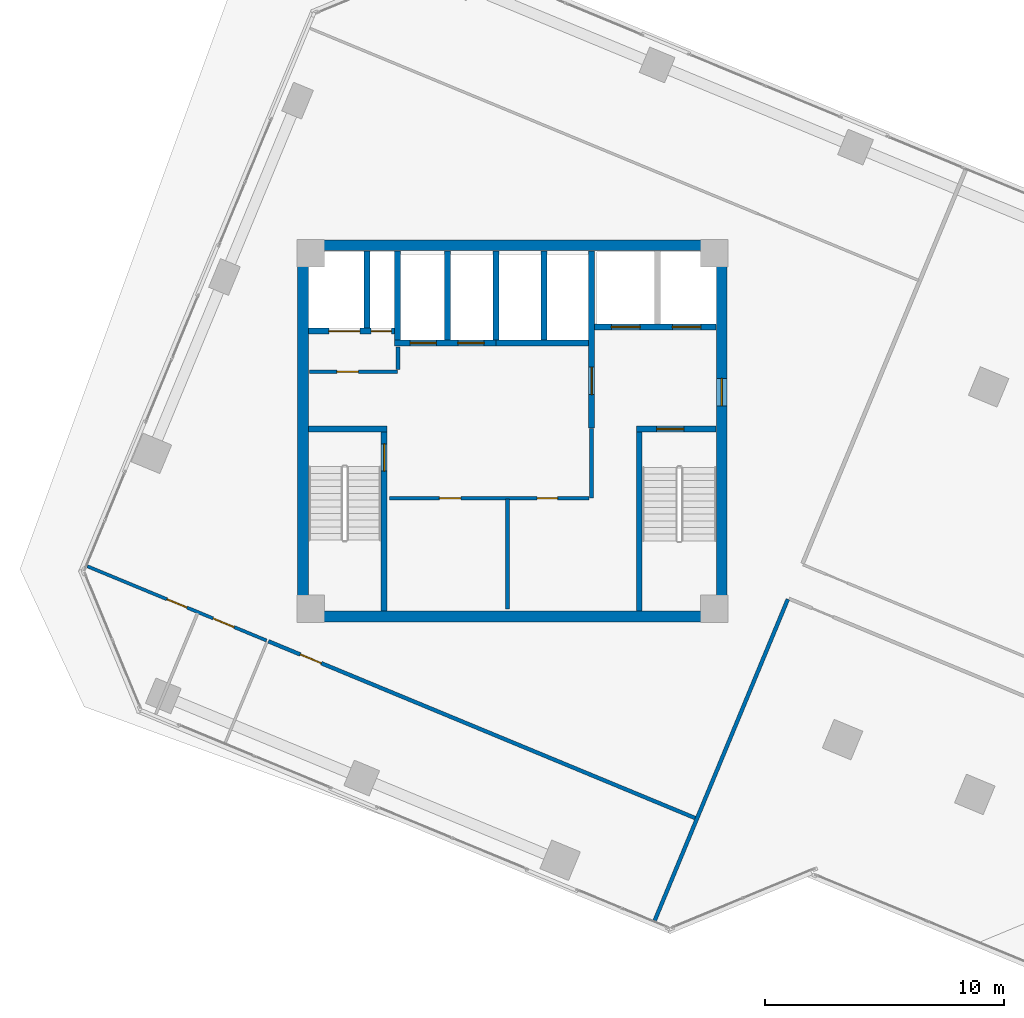
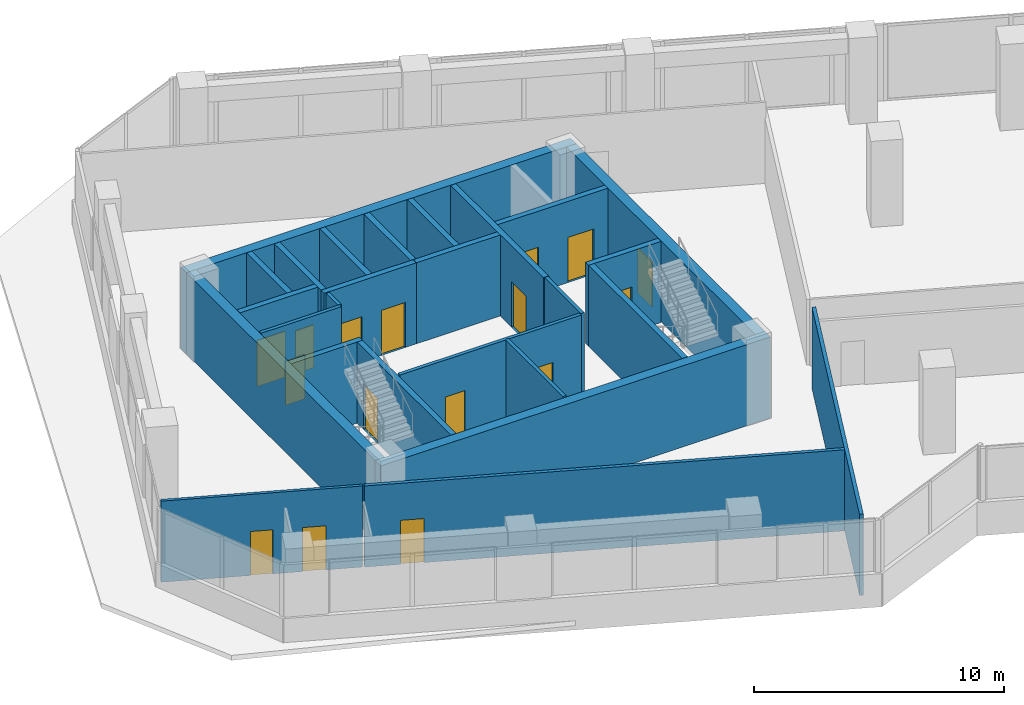
# One storey, part 19 of 24: 26 walls, 16 doors, 16 openings.
"""IFC4 building model written with IfcOpenShell, lengths in metres."""

from ifc_helpers import new_model, si_unit, direction, frame, frame_2d, origin, place, context, subcontext, project, spatial, rectangle, extrude, source, transform, mapped, material, layer, layer_set, type_object, element, fill, save


model = new_model("IFC4")

# Units and contexts
model_context = context("Model", 3, precision=1e-05, world=origin(), true_north=direction((0.0, 1.0)))
body_context = subcontext(model_context, "Body", "Model", "MODEL_VIEW")
ifc_project = project(units=[si_unit("LENGTHUNIT", "METRE"), si_unit("AREAUNIT", "SQUARE_METRE"), si_unit("VOLUMEUNIT", "CUBIC_METRE"), si_unit("PLANEANGLEUNIT", "RADIAN"), si_unit("MASSUNIT", "GRAM", prefix="KILO")], contexts=[model_context])

# Site, building, storey
site_placement = place(None, origin())
site = spatial("IfcSite", under=ifc_project, at=site_placement, CompositionType="ELEMENT")
building_placement = place(site_placement, origin())
building = spatial("IfcBuilding", under=site, at=building_placement, Name="Torre Montelarca", CompositionType="ELEMENT")
storey_placement = place(building_placement, frame((0.0, 0.0, 141.39990234375)))
storey = spatial("IfcBuildingStorey", under=building, at=storey_placement, Name="L31", CompositionType="ELEMENT", Elevation=141.39990234375)

# Wall, opening, door
ifc_material_1 = material(Name="Concrete C40/50", Category="concrete")
ifc_layer_1 = layer(ifc_material_1, 0.25, Name="Concrete C40/50", Category="concrete")
ifc_layer_set_1 = layer_set([ifc_layer_1], Name="Concrete C40/50")
wall_type_1 = type_object("IfcWallType", Name="CW-SHAFT-250", PredefinedType="SHEAR", material=ifc_layer_set_1)
wall_1_placement = place(storey_placement, frame((12.625, 24.4599609375, 0.0), z_axis=(0.0, 0.0, 1.0), x_axis=(0.0, 1.0, 0.0)))
wall_1 = element("IfcWall", 1, at=wall_1_placement, inside=storey, type_object=wall_type_1, Name="L31 Core Shear Wall SH-ST1-E", PredefinedType="SHEAR", context=body_context, shape_type="SweptSolid", body=[
    extrude(rectangle(XDim=7.489990234375, YDim=0.25, at=frame_2d((3.7451171875, 0.0))), origin(), (0.0, 0.0, 1.0), 3.960205078125),
])
opening_1_placement = place(wall_1_placement, frame((5.85009765625, 0.0, 0.0)))
opening_1 = element("IfcOpeningElement", 2, at=opening_1_placement, cuts=wall_1, Name="Opening FD-ST1", PredefinedType="OPENING", context=body_context, shape_type="SweptSolid", body=[
    extrude(rectangle(XDim=1.14990234375, YDim=2.199951171875, at=frame_2d((0.574951171875, 1.10009765625))), frame((0.0, 0.135009765625, 0.0), z_axis=(0.0, -1.0, 0.0), x_axis=(1.0, 0.0, 0.0)), (0.0, 0.0, 1.0), 0.27001953125),
])
ifc_material_2 = material(Name="Galvanized steel fire door", Category="steel")
door_type_1 = type_object("IfcDoorType", Name="DR-STAIR-115", OperationType="NOTDEFINED", PredefinedType="DOOR", material=ifc_material_2)
shared_shape_1 = source(origin(), body_context, "Body", "SweptSolid", [
    extrude(rectangle(XDim=1.14990234375, YDim=2.199951171875, at=frame_2d((0.574951171875, 1.10009765625))), frame((0.0, 0.02490234375, 0.0), z_axis=(0.0, -1.0, 0.0), x_axis=(1.0, 0.0, 0.0)), (0.0, 0.0, 1.0), 0.050048828125),
])
door_1_placement = place(opening_1_placement, origin())
door_1 = element("IfcDoor", 3, at=door_1_placement, inside=storey, type_object=door_type_1, Name="L31 Exit Stair ST1 Fire Door", OperationType="SINGLE_SWING_RIGHT", OverallHeight=2.199951171875, OverallWidth=1.14990234375, PredefinedType="DOOR", context=body_context, shape_type="MappedRepresentation", body=[
    mapped(shared_shape_1, transform((0.0, 0.0, 0.0), scale=1.0)),
])
fill(opening_1, door_1)

# Walls
wall_2_placement = place(storey_placement, frame((9.4599609375, 32.074951171875, 0.0), z_axis=(0.0, 0.0, 1.0), x_axis=(1.0, 0.0, 0.0)))
element("IfcWall", 4, at=wall_2_placement, inside=storey, type_object=wall_type_1, Name="L31 Core Shear Wall SH-ST1-N", PredefinedType="SHEAR", context=body_context, shape_type="SweptSolid", body=[
    extrude(rectangle(XDim=3.2900390625, YDim=0.25, at=frame_2d((1.64501953125, 0.0))), origin(), (0.0, 0.0, 1.0), 3.960205078125),
])
wall_3_placement = place(storey_placement, frame((23.31494140625, 24.4599609375, 0.0), z_axis=(0.0, 0.0, 1.0), x_axis=(0.0, 1.0, 0.0)))
element("IfcWall", 5, at=wall_3_placement, inside=storey, type_object=wall_type_1, Name="L31 Core Shear Wall SH-ST2-W", PredefinedType="SHEAR", context=body_context, shape_type="SweptSolid", body=[
    extrude(rectangle(XDim=7.489990234375, YDim=0.25, at=frame_2d((3.7451171875, 0.0))), origin(), (0.0, 0.0, 1.0), 3.960205078125),
])

# Wall, opening, door
wall_4_placement = place(storey_placement, frame((23.18994140625, 32.074951171875, 0.0), z_axis=(0.0, 0.0, 1.0), x_axis=(1.0, 0.0, 0.0)))
wall_4 = element("IfcWall", 6, at=wall_4_placement, inside=storey, type_object=wall_type_1, Name="L31 Core Shear Wall SH-ST2-N", PredefinedType="SHEAR", context=body_context, shape_type="SweptSolid", body=[
    extrude(rectangle(XDim=3.35009765625, YDim=0.25, at=frame_2d((1.675048828125, 0.0))), origin(), (0.0, 0.0, 1.0), 3.960205078125),
])
opening_2_placement = place(wall_4_placement, frame((0.85009765625, 0.0, 0.0)))
opening_2 = element("IfcOpeningElement", 7, at=opening_2_placement, cuts=wall_4, Name="Opening FD-ST1", PredefinedType="OPENING", context=body_context, shape_type="SweptSolid", body=[
    extrude(rectangle(XDim=1.14990234375, YDim=2.199951171875, at=frame_2d((0.574951171875, 1.10009765625))), frame((0.0, 0.135009765625, 0.0), z_axis=(0.0, -1.0, 0.0), x_axis=(1.0, 0.0, 0.0)), (0.0, 0.0, 1.0), 0.27001953125),
])
door_2_placement = place(opening_2_placement, origin())
door_2 = element("IfcDoor", 8, at=door_2_placement, inside=storey, type_object=door_type_1, Name="L31 Exit Stair ST2 Fire Door", OperationType="SINGLE_SWING_RIGHT", OverallHeight=2.199951171875, OverallWidth=1.14990234375, PredefinedType="DOOR", context=body_context, shape_type="MappedRepresentation", body=[
    mapped(shared_shape_1, transform((0.0, 0.0, 0.0), scale=1.0)),
])
fill(opening_2, door_2)

wall_5_placement = place(storey_placement, frame((21.320068359375, 32.1201171875, 0.0), z_axis=(0.0, 0.0, 1.0), x_axis=(0.0, 1.0, 0.0)))
wall_5 = element("IfcWall", 9, at=wall_5_placement, inside=storey, type_object=wall_type_1, Name="L31 Core Shear Wall SH-FFL-W", PredefinedType="SHEAR", context=body_context, shape_type="SweptSolid", body=[
    extrude(rectangle(XDim=7.419921875, YDim=0.25, at=frame_2d((3.7099609375, 0.0))), origin(), (0.0, 0.0, 1.0), 3.960205078125),
])
opening_3_placement = place(wall_5_placement, frame((1.39990234375, 0.0, 0.0)))
opening_3 = element("IfcOpeningElement", 10, at=opening_3_placement, cuts=wall_5, Name="Opening FD-LB1", PredefinedType="OPENING", context=body_context, shape_type="SweptSolid", body=[
    extrude(rectangle(XDim=1.14990234375, YDim=2.199951171875, at=frame_2d((0.574951171875, 1.10009765625))), frame((0.0, 0.135009765625, 0.0), z_axis=(0.0, -1.0, 0.0), x_axis=(1.0, 0.0, 0.0)), (0.0, 0.0, 1.0), 0.27001953125),
])
ifc_material_3 = material(Name="Acoustic timber-veneered fire door", Category="wood")
door_type_2 = type_object("IfcDoorType", Name="DR-LOBBY-115", OperationType="NOTDEFINED", PredefinedType="DOOR", material=ifc_material_3)
shared_shape_2 = source(origin(), body_context, "Body", "SweptSolid", [
    extrude(rectangle(XDim=1.14990234375, YDim=2.199951171875, at=frame_2d((0.574951171875, 1.10009765625))), frame((0.0, 0.02490234375, 0.0), z_axis=(0.0, -1.0, 0.0), x_axis=(1.0, 0.0, 0.0)), (0.0, 0.0, 1.0), 0.050048828125),
])
door_3_placement = place(opening_3_placement, origin())
door_3 = element("IfcDoor", 11, at=door_3_placement, inside=storey, type_object=door_type_2, Name="L31 Lift Lobby to Firefighting Lobby Smoke Door", OperationType="SINGLE_SWING_LEFT", OverallHeight=2.199951171875, OverallWidth=1.14990234375, PredefinedType="DOOR", context=body_context, shape_type="MappedRepresentation", body=[
    mapped(shared_shape_2, transform((0.0, 0.0, 0.0), scale=1.0)),
])
fill(opening_3, door_3)

# Wall, openings, doors
wall_6_placement = place(storey_placement, frame((9.4599609375, 36.179931640625, 0.0), z_axis=(0.0, 0.0, 1.0), x_axis=(1.0, 0.0, 0.0)))
wall_6 = element("IfcWall", 12, at=wall_6_placement, inside=storey, type_object=wall_type_1, Name="L31 Core Shear Wall SH-SV1-S", PredefinedType="SHEAR", context=body_context, shape_type="SweptSolid", body=[
    extrude(rectangle(XDim=3.7900390625, YDim=0.25, at=frame_2d((1.89501953125, 0.0))), origin(), (0.0, 0.0, 1.0), 3.960205078125),
])
opening_4_placement = place(wall_6_placement, frame((2.6201171875, 0.0, 0.0)))
opening_4 = element("IfcOpeningElement", 13, at=opening_4_placement, cuts=wall_6, Name="Opening FD-085", PredefinedType="OPENING", context=body_context, shape_type="SweptSolid", body=[
    extrude(rectangle(XDim=0.85009765625, YDim=2.10009765625, at=frame_2d((0.425048828125, 1.050048828125))), frame((0.0, 0.135009765625, 0.0), z_axis=(0.0, -1.0, 0.0), x_axis=(1.0, 0.0, 0.0)), (0.0, 0.0, 1.0), 0.27001953125),
])
opening_5_placement = place(wall_6_placement, frame((0.85009765625, 0.0, 0.0)))
opening_5 = element("IfcOpeningElement", 14, at=opening_5_placement, cuts=wall_6, Name="Opening LD-130", PredefinedType="OPENING", context=body_context, shape_type="SweptSolid", body=[
    extrude(rectangle(XDim=1.300048828125, YDim=2.25, at=frame_2d((0.64990234375, 1.125))), frame((0.0, 0.135009765625, 0.0), z_axis=(0.0, -1.0, 0.0), x_axis=(1.0, 0.0, 0.0)), (0.0, 0.0, 1.0), 0.27001953125),
])
ifc_material_4 = material(Name="Steel riser access fire door", Category="steel")
door_type_3 = type_object("IfcDoorType", Name="DR-RISER-085", OperationType="NOTDEFINED", PredefinedType="DOOR", material=ifc_material_4)
shared_shape_3 = source(origin(), body_context, "Body", "SweptSolid", [
    extrude(rectangle(XDim=0.85009765625, YDim=2.10009765625, at=frame_2d((0.425048828125, 1.050048828125))), frame((0.0, 0.02490234375, 0.0), z_axis=(0.0, -1.0, 0.0), x_axis=(1.0, 0.0, 0.0)), (0.0, 0.0, 1.0), 0.050048828125),
])
door_4_placement = place(opening_4_placement, origin())
door_4 = element("IfcDoor", 15, at=door_4_placement, inside=storey, type_object=door_type_3, Name="L31 Electrical Riser Shaft Access Door", OperationType="SINGLE_SWING_RIGHT", OverallHeight=2.10009765625, OverallWidth=0.85009765625, PredefinedType="DOOR", context=body_context, shape_type="MappedRepresentation", body=[
    mapped(shared_shape_3, transform((0.0, 0.0, 0.0), scale=1.0)),
])
fill(opening_4, door_4)
ifc_material_5 = material(Name="Brushed stainless steel AISI 316", Category="steel")
door_type_4 = type_object("IfcDoorType", Name="DR-LIFT-130", OperationType="SLIDING_TO_LEFT", PredefinedType="DOOR", material=ifc_material_5)
shared_shape_4 = source(origin(), body_context, "Body", "SweptSolid", [
    extrude(rectangle(XDim=1.300048828125, YDim=2.25, at=frame_2d((0.64990234375, 1.125))), frame((0.0, 0.02490234375, 0.0), z_axis=(0.0, -1.0, 0.0), x_axis=(1.0, 0.0, 0.0)), (0.0, 0.0, 1.0), 0.050048828125),
])
door_5_placement = place(opening_5_placement, origin())
door_5 = element("IfcDoor", 16, at=door_5_placement, inside=storey, type_object=door_type_4, Name="L31 Lift Landing Sliding Door SV-1", OperationType="SLIDING_TO_LEFT", OverallHeight=2.25, OverallWidth=1.300048828125, PredefinedType="DOOR", context=body_context, shape_type="MappedRepresentation", body=[
    mapped(shared_shape_4, transform((0.0, 0.0, 0.0), scale=1.0)),
])
fill(opening_5, door_5)

# Wall
wall_7_placement = place(storey_placement, frame((11.89990234375, 36.31005859375, 0.0), z_axis=(0.0, 0.0, 1.0), x_axis=(0.0, 1.0, 0.0)))
element("IfcWall", 17, at=wall_7_placement, inside=storey, type_object=wall_type_1, Name="L31 Core Shear Wall SH-SV1-E", PredefinedType="SHEAR", context=body_context, shape_type="SweptSolid", body=[
    extrude(rectangle(XDim=3.22998046875, YDim=0.25, at=frame_2d((1.614990234375, 0.0))), origin(), (0.0, 0.0, 1.0), 3.960205078125),
])

# Wall, openings, doors
wall_8_placement = place(storey_placement, frame((21.449951171875, 36.35009765625, 0.0), z_axis=(0.0, 0.0, 1.0), x_axis=(1.0, 0.0, 0.0)))
wall_8 = element("IfcWall", 18, at=wall_8_placement, inside=storey, type_object=wall_type_1, Name="L31 Core Shear Wall SH-FF-S", PredefinedType="SHEAR", context=body_context, shape_type="SweptSolid", body=[
    extrude(rectangle(XDim=5.090087890625, YDim=0.25, at=frame_2d((2.544921875, 0.0))), origin(), (0.0, 0.0, 1.0), 3.960205078125),
])
opening_6_placement = place(wall_8_placement, frame((0.699951171875, 0.0, 0.0)))
opening_6 = element("IfcOpeningElement", 19, at=opening_6_placement, cuts=wall_8, Name="Opening LD-120", PredefinedType="OPENING", context=body_context, shape_type="SweptSolid", body=[
    extrude(rectangle(XDim=1.199951171875, YDim=2.199951171875, at=frame_2d((0.60009765625, 1.10009765625))), frame((0.0, 0.135009765625, 0.0), z_axis=(0.0, -1.0, 0.0), x_axis=(1.0, 0.0, 0.0)), (0.0, 0.0, 1.0), 0.27001953125),
])
opening_7_placement = place(wall_8_placement, frame((3.25, 0.0, 0.0)))
opening_7 = element("IfcOpeningElement", 20, at=opening_7_placement, cuts=wall_8, Name="Opening LD-120", PredefinedType="OPENING", context=body_context, shape_type="SweptSolid", body=[
    extrude(rectangle(XDim=1.199951171875, YDim=2.199951171875, at=frame_2d((0.60009765625, 1.10009765625))), frame((0.0, 0.135009765625, 0.0), z_axis=(0.0, -1.0, 0.0), x_axis=(1.0, 0.0, 0.0)), (0.0, 0.0, 1.0), 0.27001953125),
])
door_type_5 = type_object("IfcDoorType", Name="DR-LIFT-120", OperationType="SLIDING_TO_RIGHT", PredefinedType="DOOR", material=ifc_material_5)
shared_shape_5 = source(origin(), body_context, "Body", "SweptSolid", [
    extrude(rectangle(XDim=1.199951171875, YDim=2.199951171875, at=frame_2d((0.60009765625, 1.10009765625))), frame((0.0, 0.02490234375, 0.0), z_axis=(0.0, -1.0, 0.0), x_axis=(1.0, 0.0, 0.0)), (0.0, 0.0, 1.0), 0.050048828125),
])
door_6_placement = place(opening_6_placement, origin())
door_6 = element("IfcDoor", 21, at=door_6_placement, inside=storey, type_object=door_type_5, Name="L31 Lift Landing Sliding Door FF-1", OperationType="SLIDING_TO_LEFT", OverallHeight=2.199951171875, OverallWidth=1.199951171875, PredefinedType="DOOR", context=body_context, shape_type="MappedRepresentation", body=[
    mapped(shared_shape_5, transform((0.0, 0.0, 0.0), scale=1.0)),
])
fill(opening_6, door_6)
door_7_placement = place(opening_7_placement, origin())
door_7 = element("IfcDoor", 22, at=door_7_placement, inside=storey, type_object=door_type_5, Name="L31 Lift Landing Sliding Door FF-2", OperationType="SLIDING_TO_RIGHT", OverallHeight=2.199951171875, OverallWidth=1.199951171875, PredefinedType="DOOR", context=body_context, shape_type="MappedRepresentation", body=[
    mapped(shared_shape_5, transform((0.0, 0.0, 0.0), scale=1.0)),
])
fill(opening_7, door_7)

wall_9_placement = place(storey_placement, frame((13.06005859375, 35.679931640625, 0.0), z_axis=(0.0, 0.0, 1.0), x_axis=(1.0, 0.0, 0.0)))
wall_9 = element("IfcWall", 23, at=wall_9_placement, inside=storey, type_object=wall_type_1, Name="L31 Core Shear Wall SH-PLM-S", PredefinedType="SHEAR", context=body_context, shape_type="SweptSolid", body=[
    extrude(rectangle(XDim=4.25, YDim=0.25, at=frame_2d((2.125, 0.0))), origin(), (0.0, 0.0, 1.0), 3.960205078125),
])
opening_8_placement = place(wall_9_placement, frame((0.64990234375, 0.0, 0.0)))
opening_8 = element("IfcOpeningElement", 24, at=opening_8_placement, cuts=wall_9, Name="Opening LD-110", PredefinedType="OPENING", context=body_context, shape_type="SweptSolid", body=[
    extrude(rectangle(XDim=1.10009765625, YDim=2.199951171875, at=frame_2d((0.550048828125, 1.10009765625))), frame((0.0, 0.135009765625, 0.0), z_axis=(0.0, -1.0, 0.0), x_axis=(1.0, 0.0, 0.0)), (0.0, 0.0, 1.0), 0.27001953125),
])
opening_9_placement = place(wall_9_placement, frame((2.64990234375, 0.0, 0.0)))
opening_9 = element("IfcOpeningElement", 25, at=opening_9_placement, cuts=wall_9, Name="Opening LD-110", PredefinedType="OPENING", context=body_context, shape_type="SweptSolid", body=[
    extrude(rectangle(XDim=1.10009765625, YDim=2.199951171875, at=frame_2d((0.550048828125, 1.10009765625))), frame((0.0, 0.135009765625, 0.0), z_axis=(0.0, -1.0, 0.0), x_axis=(1.0, 0.0, 0.0)), (0.0, 0.0, 1.0), 0.27001953125),
])
door_type_6 = type_object("IfcDoorType", Name="DR-LIFT-110", OperationType="SLIDING_TO_LEFT", PredefinedType="DOOR", material=ifc_material_5)
shared_shape_6 = source(origin(), body_context, "Body", "SweptSolid", [
    extrude(rectangle(XDim=1.10009765625, YDim=2.199951171875, at=frame_2d((0.550048828125, 1.10009765625))), frame((0.0, 0.02490234375, 0.0), z_axis=(0.0, -1.0, 0.0), x_axis=(1.0, 0.0, 0.0)), (0.0, 0.0, 1.0), 0.050048828125),
])
door_8_placement = place(opening_8_placement, origin())
door_8 = element("IfcDoor", 26, at=door_8_placement, inside=storey, type_object=door_type_6, Name="L31 Lift Landing Sliding Door PL-M1", OperationType="SLIDING_TO_LEFT", OverallHeight=2.199951171875, OverallWidth=1.10009765625, PredefinedType="DOOR", context=body_context, shape_type="MappedRepresentation", body=[
    mapped(shared_shape_6, transform((0.0, 0.0, 0.0), scale=1.0)),
])
fill(opening_8, door_8)
door_9_placement = place(opening_9_placement, origin())
door_9 = element("IfcDoor", 27, at=door_9_placement, inside=storey, type_object=door_type_6, Name="L31 Lift Landing Sliding Door PL-M2", OperationType="SLIDING_TO_RIGHT", OverallHeight=2.199951171875, OverallWidth=1.10009765625, PredefinedType="DOOR", context=body_context, shape_type="MappedRepresentation", body=[
    mapped(shared_shape_6, transform((0.0, 0.0, 0.0), scale=1.0)),
])
fill(opening_9, door_9)

# Walls
for number, where, z_axis, x_axis, name in (
    (28, (13.179931640625, 35.81005859375, 0.0), (0.0, 0.0, 1.0), (0.0, 1.0, 0.0), "L31 Core Shear Wall SH-PLM-W"),
    (29, (15.280029296875, 35.81005859375, 0.0), (0.0, 0.0, 1.0), (0.0, 1.0, 0.0), "L31 Core Shear Wall SH-PLM-M"),
):
    element("IfcWall", number, at=place(storey_placement, frame(where, z_axis=z_axis, x_axis=x_axis)), inside=storey, type_object=wall_type_1, Name=name, PredefinedType="SHEAR", context=body_context, shape_type="SweptSolid", body=[
        extrude(rectangle(XDim=3.72998046875, YDim=0.25, at=frame_2d((1.864990234375, 0.0))), origin(), (0.0, 0.0, 1.0), 3.960205078125),
    ])
wall_10_placement = place(storey_placement, frame((17.320068359375, 35.679931640625, 0.0), z_axis=(0.0, 0.0, 1.0), x_axis=(1.0, 0.0, 0.0)))
element("IfcWall", 30, at=wall_10_placement, inside=storey, type_object=wall_type_1, Name="L31 Core Shear Wall SH-PLH-S", PredefinedType="SHEAR", context=body_context, shape_type="SweptSolid", body=[
    extrude(rectangle(XDim=3.869873046875, YDim=0.25, at=frame_2d((1.93505859375, 0.0))), origin(), (0.0, 0.0, 1.0), 3.960205078125),
])
for number, where, z_axis, x_axis, name in (
    (31, (17.320068359375, 35.81005859375, 0.0), (0.0, 0.0, 1.0), (0.0, 1.0, 0.0), "L31 Core Shear Wall SH-PLH-W"),
    (32, (19.320068359375, 35.81005859375, 0.0), (0.0, 0.0, 1.0), (0.0, 1.0, 0.0), "L31 Core Shear Wall SH-PLH-M"),
):
    element("IfcWall", number, at=place(storey_placement, frame(where, z_axis=z_axis, x_axis=x_axis)), inside=storey, type_object=wall_type_1, Name=name, PredefinedType="SHEAR", context=body_context, shape_type="SweptSolid", body=[
        extrude(rectangle(XDim=3.72998046875, YDim=0.25, at=frame_2d((1.864990234375, 0.0))), origin(), (0.0, 0.0, 1.0), 3.960205078125),
    ])
ifc_material_6 = material(Name="Concrete C55/67", Category="concrete")
ifc_layer_2 = layer(ifc_material_6, 0.449951171875, Name="Concrete C55/67", Category="concrete")
ifc_layer_set_2 = layer_set([ifc_layer_2], Name="Concrete C55/67")
wall_type_2 = type_object("IfcWallType", Name="CW-SHEAR-450", PredefinedType="SHEAR", material=ifc_layer_set_2)
wall_11_placement = place(storey_placement, frame((9.22509765625, 24.449951171875, 0.0), z_axis=(0.0, 0.0, 1.0), x_axis=(0.0, 1.0, 0.0)))
element("IfcWall", 33, at=wall_11_placement, inside=storey, type_object=wall_type_2, Name="L31 Core Shear Wall CW-W", PredefinedType="SHEAR", context=body_context, shape_type="SweptSolid", body=[
    extrude(rectangle(XDim=15.10009765625, YDim=0.449951171875, at=frame_2d((7.550048828125, 0.0))), origin(), (0.0, 0.0, 1.0), 3.960205078125),
])

# Wall, opening, door
wall_12_placement = place(storey_placement, frame((26.77490234375, 24.449951171875, 0.0), z_axis=(0.0, 0.0, 1.0), x_axis=(0.0, 1.0, 0.0)))
wall_12 = element("IfcWall", 34, at=wall_12_placement, inside=storey, type_object=wall_type_2, Name="L31 Core Shear Wall CW-E", PredefinedType="SHEAR", context=body_context, shape_type="SweptSolid", body=[
    extrude(rectangle(XDim=15.10009765625, YDim=0.449951171875, at=frame_2d((7.550048828125, 0.0))), origin(), (0.0, 0.0, 1.0), 3.960205078125),
])
opening_10_placement = place(wall_12_placement, frame((8.60009765625, 0.0, 0.0)))
opening_10 = element("IfcOpeningElement", 35, at=opening_10_placement, cuts=wall_12, Name="Opening FD-LB1", PredefinedType="OPENING", context=body_context, shape_type="SweptSolid", body=[
    extrude(rectangle(XDim=1.14990234375, YDim=2.199951171875, at=frame_2d((0.574951171875, 1.10009765625))), frame((0.0, 0.23486328125, 0.0), z_axis=(0.0, -1.0, 0.0), x_axis=(1.0, 0.0, 0.0)), (0.0, 0.0, 1.0), 0.469970703125),
])
door_10_placement = place(opening_10_placement, origin())
door_10 = element("IfcDoor", 36, at=door_10_placement, inside=storey, type_object=door_type_2, Name="L31 Firefighting Lift Lobby Corridor Fire Door", OperationType="SINGLE_SWING_RIGHT", OverallHeight=2.199951171875, OverallWidth=1.14990234375, PredefinedType="DOOR", context=body_context, shape_type="MappedRepresentation", body=[
    mapped(shared_shape_2, transform((0.0, 0.0, 0.0), scale=1.0)),
])
fill(opening_10, door_10)

# Walls
for number, where, z_axis, x_axis, name in (
    (37, (9.0, 24.22509765625, 0.0), (0.0, 0.0, 1.0), (1.0, 0.0, 0.0), "L31 Core Shear Wall CW-S1"),
    (38, (9.0, 39.77490234375, 0.0), (0.0, 0.0, 1.0), (1.0, 0.0, 0.0), "L31 Core Shear Wall CW-N1"),
):
    element("IfcWall", number, at=place(storey_placement, frame(where, z_axis=z_axis, x_axis=x_axis)), inside=storey, type_object=wall_type_2, Name=name, PredefinedType="SHEAR", context=body_context, shape_type="SweptSolid", body=[
        extrude(rectangle(XDim=18.0, YDim=0.449951171875, at=frame_2d((9.0, 0.0))), origin(), (0.0, 0.0, 1.0), 3.960205078125),
    ])

# Wall, opening, door
ifc_material_7 = material(Name="Gypsum plasterboard on steel stud", Category="steel")
ifc_layer_3 = layer(ifc_material_7, 0.159912109375, Name="Gypsum plasterboard on steel stud", Category="steel")
ifc_layer_set_3 = layer_set([ifc_layer_3], Name="Gypsum plasterboard on steel stud")
wall_type_3 = type_object("IfcWallType", Name="PW-FIRE-160", PredefinedType="PARTITIONING", material=ifc_layer_set_3)
wall_13_placement = place(storey_placement, frame((9.489990234375, 34.47998046875, 0.0), z_axis=(0.0, 0.0, 1.0), x_axis=(1.0, 0.0, 0.0)))
wall_13 = element("IfcWall", 39, at=wall_13_placement, inside=storey, type_object=wall_type_3, Name="L31 Interior Partition CW-L31-SVS", PredefinedType="PARTITIONING", context=body_context, shape_type="SweptSolid", body=[
    extrude(rectangle(XDim=3.699951171875, YDim=0.159912109375, at=frame_2d((1.85009765625, 0.0))), origin(), (0.0, 0.0, 1.0), 3.960205078125),
])
opening_11_placement = place(wall_13_placement, frame((1.14990234375, 0.0, 0.0)))
opening_11 = element("IfcOpeningElement", 40, at=opening_11_placement, cuts=wall_13, Name="Opening FD-090", PredefinedType="OPENING", context=body_context, shape_type="SweptSolid", body=[
    extrude(rectangle(XDim=0.89990234375, YDim=2.14990234375, at=frame_2d((0.449951171875, 1.074951171875))), frame((0.0, 0.08984375, 0.0), z_axis=(0.0, -1.0, 0.0), x_axis=(1.0, 0.0, 0.0)), (0.0, 0.0, 1.0), 0.179931640625),
])
ifc_material_8 = material(Name="Steel service fire door", Category="steel")
door_type_7 = type_object("IfcDoorType", Name="DR-FIRE-090", OperationType="NOTDEFINED", PredefinedType="DOOR", material=ifc_material_8)
shared_shape_7 = source(origin(), body_context, "Body", "SweptSolid", [
    extrude(rectangle(XDim=0.89990234375, YDim=2.14990234375, at=frame_2d((0.449951171875, 1.074951171875))), frame((0.0, 0.02490234375, 0.0), z_axis=(0.0, -1.0, 0.0), x_axis=(1.0, 0.0, 0.0)), (0.0, 0.0, 1.0), 0.050048828125),
])
door_11_placement = place(opening_11_placement, origin())
door_11 = element("IfcDoor", 41, at=door_11_placement, inside=storey, type_object=door_type_7, Name="L31 Interior Door 01", OperationType="SINGLE_SWING_RIGHT", OverallHeight=2.14990234375, OverallWidth=0.89990234375, PredefinedType="DOOR", context=body_context, shape_type="MappedRepresentation", body=[
    mapped(shared_shape_7, transform((0.0, 0.0, 0.0), scale=1.0)),
])
fill(opening_11, door_11)

# Wall
wall_14_placement = place(storey_placement, frame((13.199951171875, 34.570068359375, 0.0), z_axis=(0.0, 0.0, 1.0), x_axis=(0.0, 1.0, 0.0)))
element("IfcWall", 42, at=wall_14_placement, inside=storey, type_object=wall_type_3, Name="L31 Interior Partition CW-L31-SVE", PredefinedType="PARTITIONING", context=body_context, shape_type="SweptSolid", body=[
    extrude(rectangle(XDim=0.93994140625, YDim=0.159912109375, at=frame_2d((0.469970703125, 0.0))), origin(), (0.0, 0.0, 1.0), 3.960205078125),
])

# Wall, openings, doors
wall_15_placement = place(storey_placement, frame((12.840087890625, 29.179931640625, 0.0), z_axis=(0.0, 0.0, 1.0), x_axis=(1.0, 0.0, 0.0)))
wall_15 = element("IfcWall", 43, at=wall_15_placement, inside=storey, type_object=wall_type_3, Name="L31 Interior Partition CW-L31-FRDN", PredefinedType="PARTITIONING", context=body_context, shape_type="SweptSolid", body=[
    extrude(rectangle(XDim=8.369873046875, YDim=0.159912109375, at=frame_2d((4.18505859375, 0.0))), origin(), (0.0, 0.0, 1.0), 3.960205078125),
])
opening_12_placement = place(wall_15_placement, frame((2.10009765625, 0.0, 0.0)))
opening_12 = element("IfcOpeningElement", 44, at=opening_12_placement, cuts=wall_15, Name="Opening FD-090", PredefinedType="OPENING", context=body_context, shape_type="SweptSolid", body=[
    extrude(rectangle(XDim=0.89990234375, YDim=2.14990234375, at=frame_2d((0.449951171875, 1.074951171875))), frame((0.0, 0.08984375, 0.0), z_axis=(0.0, -1.0, 0.0), x_axis=(1.0, 0.0, 0.0)), (0.0, 0.0, 1.0), 0.179931640625),
])
opening_13_placement = place(wall_15_placement, frame((6.199951171875, 0.0, 0.0)))
opening_13 = element("IfcOpeningElement", 45, at=opening_13_placement, cuts=wall_15, Name="Opening FD-085", PredefinedType="OPENING", context=body_context, shape_type="SweptSolid", body=[
    extrude(rectangle(XDim=0.85009765625, YDim=2.10009765625, at=frame_2d((0.425048828125, 1.050048828125))), frame((0.0, 0.08984375, 0.0), z_axis=(0.0, -1.0, 0.0), x_axis=(1.0, 0.0, 0.0)), (0.0, 0.0, 1.0), 0.179931640625),
])
door_12_placement = place(opening_13_placement, origin())
door_12 = element("IfcDoor", 46, at=door_12_placement, inside=storey, type_object=door_type_3, Name="L31 Interior Door 03", OperationType="SINGLE_SWING_LEFT", OverallHeight=2.10009765625, OverallWidth=0.85009765625, PredefinedType="DOOR", context=body_context, shape_type="MappedRepresentation", body=[
    mapped(shared_shape_3, transform((0.0, 0.0, 0.0), scale=1.0)),
])
fill(opening_13, door_12)
door_13_placement = place(opening_12_placement, origin())
door_13 = element("IfcDoor", 47, at=door_13_placement, inside=storey, type_object=door_type_7, Name="L31 Interior Door 02", OperationType="SINGLE_SWING_RIGHT", OverallHeight=2.14990234375, OverallWidth=0.89990234375, PredefinedType="DOOR", context=body_context, shape_type="MappedRepresentation", body=[
    mapped(shared_shape_7, transform((0.0, 0.0, 0.0), scale=1.0)),
])
fill(opening_12, door_13)

# Walls
wall_16_placement = place(storey_placement, frame((17.800048828125, 24.5400390625, 0.0), z_axis=(0.0, 0.0, 1.0), x_axis=(0.0, 1.0, 0.0)))
element("IfcWall", 48, at=wall_16_placement, inside=storey, type_object=wall_type_3, Name="L31 Interior Partition CW-L31-FRD1", PredefinedType="PARTITIONING", context=body_context, shape_type="SweptSolid", body=[
    extrude(rectangle(XDim=4.599853515625, YDim=0.159912109375, at=frame_2d((2.2998046875, 0.0))), origin(), (0.0, 0.0, 1.0), 3.960205078125),
])
wall_17_placement = place(storey_placement, frame((21.320068359375, 29.18994140625, 0.0), z_axis=(0.0, 0.0, 1.0), x_axis=(0.0, 1.0, 0.0)))
element("IfcWall", 49, at=wall_17_placement, inside=storey, type_object=wall_type_3, Name="L31 Interior Partition CW-L31-FRE", PredefinedType="PARTITIONING", context=body_context, shape_type="SweptSolid", body=[
    extrude(rectangle(XDim=2.920166015625, YDim=0.159912109375, at=frame_2d((1.4599609375, 0.0))), origin(), (0.0, 0.0, 1.0), 3.960205078125),
])

# Wall, opening, door
wall_18_placement = place(storey_placement, frame((7.770751953125, 23.182861328125, 0.0), z_axis=(0.0, 0.0, 1.0), x_axis=(0.923878020857, -0.382687081801, 0.0)))
wall_18 = element("IfcWall", 50, at=wall_18_placement, inside=storey, type_object=wall_type_3, Name="L31 Interior Partition W-L31-SOCCN", PredefinedType="PARTITIONING", context=body_context, shape_type="SweptSolid", body=[
    extrude(rectangle(XDim=19.39990234375, YDim=0.159912109375, at=frame_2d((9.699951171875, 0.0))), origin(), (0.0, 0.0, 1.0), 3.960205078125),
])
opening_14_placement = place(wall_18_placement, frame((1.449951171875, 0.0, 0.0)))
opening_14 = element("IfcOpeningElement", 51, at=opening_14_placement, cuts=wall_18, Name="Opening FD-095", PredefinedType="OPENING", context=body_context, shape_type="SweptSolid", body=[
    extrude(rectangle(XDim=0.949951171875, YDim=2.14990234375, at=frame_2d((0.47509765625, 1.074951171875))), frame((0.0, 0.08984375, 0.0), z_axis=(0.0, -1.0, 0.0), x_axis=(1.0, 0.0, 0.0)), (0.0, 0.0, 1.0), 0.179931640625),
])
ifc_material_9 = material(Name="Timber fire-rated room door", Category="wood")
door_type_8 = type_object("IfcDoorType", Name="DR-FIRE-095", OperationType="NOTDEFINED", PredefinedType="DOOR", material=ifc_material_9)
shared_shape_8 = source(origin(), body_context, "Body", "SweptSolid", [
    extrude(rectangle(XDim=0.949951171875, YDim=2.14990234375, at=frame_2d((0.47509765625, 1.074951171875))), frame((0.0, 0.02490234375, 0.0), z_axis=(0.0, -1.0, 0.0), x_axis=(1.0, 0.0, 0.0)), (0.0, 0.0, 1.0), 0.050048828125),
])
door_14_placement = place(opening_14_placement, origin())
door_14 = element("IfcDoor", 52, at=door_14_placement, inside=storey, type_object=door_type_8, Name="L31 Interior Door 06", OperationType="SINGLE_SWING_RIGHT", OverallHeight=2.14990234375, OverallWidth=0.949951171875, PredefinedType="DOOR", context=body_context, shape_type="MappedRepresentation", body=[
    mapped(shared_shape_8, transform((0.0, 0.0, 0.0), scale=1.0)),
])
fill(opening_14, door_14)

# Wall
wall_19_placement = place(storey_placement, frame((23.962890625, 11.47509765625, 0.0), z_axis=(0.0, 0.0, 1.0), x_axis=(0.382686018031, 0.923878461489, 0.0)))
element("IfcWall", 53, at=wall_19_placement, inside=storey, type_object=wall_type_3, Name="L31 Interior Partition W-L31-ECS", PredefinedType="PARTITIONING", context=body_context, shape_type="SweptSolid", body=[
    extrude(rectangle(XDim=14.580078125, YDim=0.159912109375, at=frame_2d((7.2900390625, 0.0))), origin(), (0.0, 0.0, 1.0), 3.960205078125),
])

# Wall, openings, doors
ifc_layer_4 = layer(ifc_material_7, 0.135009765625, Name="Gypsum plasterboard on steel stud", Category="steel")
ifc_layer_set_4 = layer_set([ifc_layer_4], Name="Gypsum plasterboard on steel stud")
wall_type_4 = type_object("IfcWallType", Name="PW-PART-135", PredefinedType="PARTITIONING", material=ifc_layer_set_4)
wall_20_placement = place(storey_placement, frame((0.185791015625, 26.32470703125, 0.0), z_axis=(0.0, 0.0, 1.0), x_axis=(0.923871890562, -0.382701881142, 0.0)))
wall_20 = element("IfcWall", 54, at=wall_20_placement, inside=storey, type_object=wall_type_4, Name="L31 Interior Partition W-L31-WCN", PredefinedType="PARTITIONING", context=body_context, shape_type="SweptSolid", body=[
    extrude(rectangle(XDim=8.1298828125, YDim=0.135009765625, at=frame_2d((4.06494140625, 0.0))), origin(), (0.0, 0.0, 1.0), 3.960205078125),
])
opening_15_placement = place(wall_20_placement, frame((3.610107421875, 0.0, 0.0)))
opening_15 = element("IfcOpeningElement", 55, at=opening_15_placement, cuts=wall_20, Name="Opening ID-090", PredefinedType="OPENING", context=body_context, shape_type="SweptSolid", body=[
    extrude(rectangle(XDim=0.89990234375, YDim=2.14990234375, at=frame_2d((0.449951171875, 1.074951171875))), frame((0.0, 0.07763671875, 0.0), z_axis=(0.0, -1.0, 0.0), x_axis=(1.0, 0.0, 0.0)), (0.0, 0.0, 1.0), 0.155029296875),
])
opening_16_placement = place(wall_20_placement, frame((5.7099609375, 0.0, 0.0)))
opening_16 = element("IfcOpeningElement", 56, at=opening_16_placement, cuts=wall_20, Name="Opening ID-095", PredefinedType="OPENING", context=body_context, shape_type="SweptSolid", body=[
    extrude(rectangle(XDim=0.949951171875, YDim=2.14990234375, at=frame_2d((0.47509765625, 1.074951171875))), frame((0.0, 0.07763671875, 0.0), z_axis=(0.0, -1.0, 0.0), x_axis=(1.0, 0.0, 0.0)), (0.0, 0.0, 1.0), 0.155029296875),
])
ifc_material_10 = material(Name="Hardwood acoustic timber veneer", Category="wood")
door_type_9 = type_object("IfcDoorType", Name="DR-INT-090", OperationType="NOTDEFINED", PredefinedType="DOOR", material=ifc_material_10)
shared_shape_9 = source(origin(), body_context, "Body", "SweptSolid", [
    extrude(rectangle(XDim=0.89990234375, YDim=2.14990234375, at=frame_2d((0.449951171875, 1.074951171875))), frame((0.0, 0.02490234375, 0.0), z_axis=(0.0, -1.0, 0.0), x_axis=(1.0, 0.0, 0.0)), (0.0, 0.0, 1.0), 0.050048828125),
])
door_15_placement = place(opening_15_placement, origin())
door_15 = element("IfcDoor", 57, at=door_15_placement, inside=storey, type_object=door_type_9, Name="L31 Interior Door 04", OperationType="SINGLE_SWING_LEFT", OverallHeight=2.14990234375, OverallWidth=0.89990234375, PredefinedType="DOOR", context=body_context, shape_type="MappedRepresentation", body=[
    mapped(shared_shape_9, transform((0.0, 0.0, 0.0), scale=1.0)),
])
fill(opening_15, door_15)
door_type_10 = type_object("IfcDoorType", Name="DR-INT-095", OperationType="NOTDEFINED", PredefinedType="DOOR", material=ifc_material_10)
shared_shape_10 = source(origin(), body_context, "Body", "SweptSolid", [
    extrude(rectangle(XDim=0.949951171875, YDim=2.14990234375, at=frame_2d((0.47509765625, 1.074951171875))), frame((0.0, 0.02490234375, 0.0), z_axis=(0.0, -1.0, 0.0), x_axis=(1.0, 0.0, 0.0)), (0.0, 0.0, 1.0), 0.050048828125),
])
door_16_placement = place(opening_16_placement, origin())
door_16 = element("IfcDoor", 58, at=door_16_placement, inside=storey, type_object=door_type_10, Name="L31 Interior Door 05", OperationType="SINGLE_SWING_RIGHT", OverallHeight=2.14990234375, OverallWidth=0.949951171875, PredefinedType="DOOR", context=body_context, shape_type="MappedRepresentation", body=[
    mapped(shared_shape_10, transform((0.0, 0.0, 0.0), scale=1.0)),
])
fill(opening_16, door_16)

save(model, "model.ifc")
